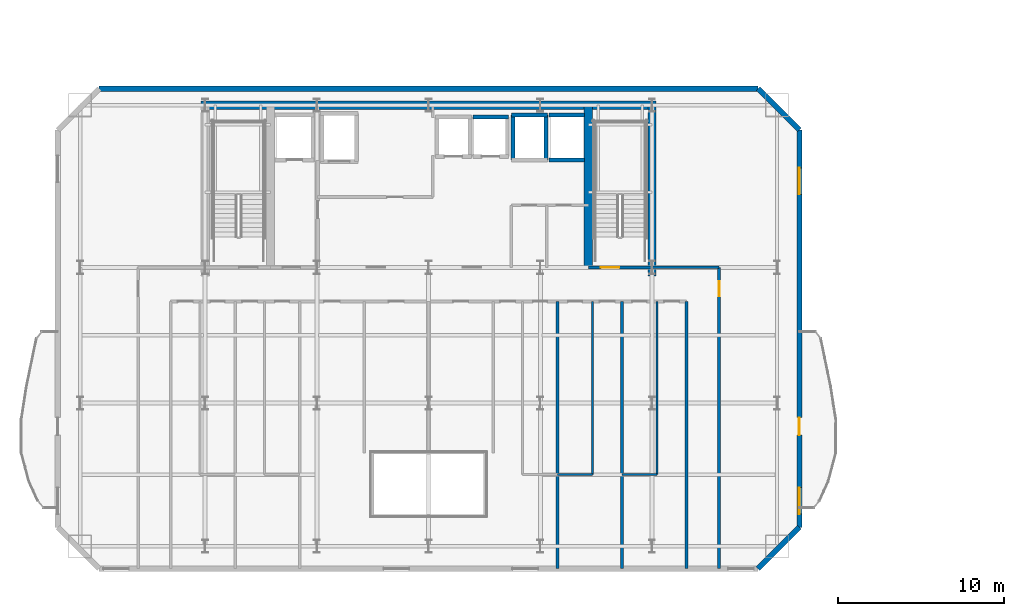
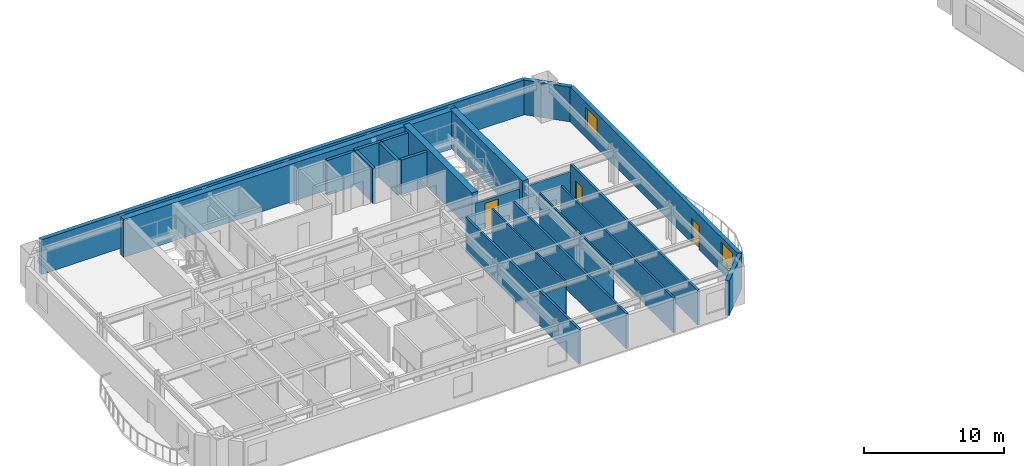
# One storey, part 7 of 14: 23 walls, 3 doors, 2 windows, 5 openings.
"""IFC4 building model written with IfcOpenShell, lengths in metres."""

from ifc_helpers import new_model, si_unit, direction, frame, frame_2d, origin, place, context, subcontext, project, spatial, rectangle, extrude, material, layer, layer_set, type_object, element, fill, save


model = new_model("IFC4")

# Units and contexts
model_context = context("Model", 3, precision=1e-05, world=origin(), true_north=direction((0.0, 1.0)))
body_context = subcontext(model_context, "Body", "Model", "MODEL_VIEW")
ifc_project = project(units=[si_unit("LENGTHUNIT", "METRE"), si_unit("AREAUNIT", "SQUARE_METRE"), si_unit("VOLUMEUNIT", "CUBIC_METRE"), si_unit("PLANEANGLEUNIT", "RADIAN"), si_unit("MASSUNIT", "GRAM", prefix="KILO")], contexts=[model_context])

# Site, building, storey
site_placement = place(None, origin())
site = spatial("IfcSite", under=ifc_project, at=site_placement, CompositionType="ELEMENT")
building_placement = place(site_placement, origin())
building = spatial("IfcBuilding", under=site, at=building_placement, Name="Haevon Station Towers", CompositionType="ELEMENT")
storey_placement = place(building_placement, frame((0.0, 0.0, 116.39990234375)))
storey = spatial("IfcBuildingStorey", under=building, at=storey_placement, Name="L31", CompositionType="ELEMENT", Elevation=116.39990234375)

# Wall, opening, door
ifc_material_1 = material(Name="Gypsum board on steel stud", Category="steel")
ifc_layer_1 = layer(ifc_material_1, 0.179931640625)
ifc_layer_set_1 = layer_set([ifc_layer_1], Name="Gypsum board on steel stud")
wall_type_1 = type_object("IfcWallType", Name="WL-ACU180", PredefinedType="PARTITIONING", material=ifc_layer_set_1)
wall_1_placement = place(storey_placement, frame((55.050048828125, 20.0, 0.0), z_axis=(0.0, 0.0, 1.0), x_axis=(0.0, 1.0, 0.0)))
wall_1 = element("IfcWall", 1, at=wall_1_placement, inside=storey, type_object=wall_type_1, Name="WL-T1PT-L31-06", PredefinedType="PARTITIONING", context=body_context, shape_type="SweptSolid", body=[
    extrude(rectangle(XDim=18.199951171875, YDim=0.179931640625, at=frame_2d((9.10009765625, 0.0))), origin(), (0.0, 0.0, 1.0), 3.030029296875),
])
opening_1_placement = place(wall_1_placement, frame((16.469970703125, 0.0, 0.0)))
opening_1 = element("IfcOpeningElement", 2, at=opening_1_placement, cuts=wall_1, Name="Opening DR-WL-T1PT-L31-06-01", PredefinedType="OPENING", context=body_context, shape_type="SweptSolid", body=[
    extrude(rectangle(XDim=0.89990234375, YDim=2.050048828125, at=frame_2d((0.449951171875, 1.02490234375))), frame((0.0, 0.099853515625, 0.0), z_axis=(0.0, -1.0, 0.0), x_axis=(1.0, 0.0, 0.0)), (0.0, 0.0, 1.0), 0.199951171875),
])
ifc_material_2 = material(Name="Engineered oak timber", Category="wood")
door_type_1 = type_object("IfcDoorType", Name="DR-INT-900", OperationType="NOTDEFINED", PredefinedType="DOOR", material=ifc_material_2)
door_1_placement = place(opening_1_placement, origin())
door_1 = element("IfcDoor", 3, at=door_1_placement, inside=storey, type_object=door_type_1, Name="L31 Tower 1 Room Door 6-1", OperationType="SINGLE_SWING_LEFT", OverallHeight=2.050048828125, OverallWidth=0.89990234375, PredefinedType="DOOR", context=body_context, shape_type="SweptSolid", body=[
    extrude(rectangle(XDim=0.89990234375, YDim=2.050048828125, at=frame_2d((0.449951171875, 1.02490234375))), frame((0.0, 0.02490234375, 0.0), z_axis=(0.0, -1.0, 0.0), x_axis=(1.0, 0.0, 0.0)), (0.0, 0.0, 1.0), 0.050048828125),
])
fill(opening_1, door_1)

# Walls
for number, where, z_axis, x_axis, name in (
    (4, (45.2900390625, 20.0, 0.0), (0.0, 0.0, 1.0), (0.0, 1.0, 0.0), "WL-T1PT-L31-24"),
    (5, (49.18505859375, 20.0, 0.0), (0.0, 0.0, 1.0), (0.0, 1.0, 0.0), "WL-T1PT-L31-27"),
):
    element("IfcWall", number, at=place(storey_placement, frame(where, z_axis=z_axis, x_axis=x_axis)), inside=storey, type_object=wall_type_1, Name=name, PredefinedType="PARTITIONING", context=body_context, shape_type="SweptSolid", body=[
        extrude(rectangle(XDim=16.14990234375, YDim=0.179931640625, at=frame_2d((8.074951171875, 0.0))), origin(), (0.0, 0.0, 1.0), 3.030029296875),
    ])

# Wall, opening, door
ifc_layer_2 = layer(ifc_material_1, 0.199951171875)
ifc_layer_set_2 = layer_set([ifc_layer_2], Name="Gypsum board on steel stud")
wall_type_2 = type_object("IfcWallType", Name="WL-COR200", PredefinedType="PARTITIONING", material=ifc_layer_set_2)
wall_2_placement = place(storey_placement, frame((47.14990234375, 38.199951171875, 0.0), z_axis=(0.0, 0.0, 1.0), x_axis=(1.0, 0.0, 0.0)))
wall_2 = element("IfcWall", 6, at=wall_2_placement, inside=storey, type_object=wall_type_2, Name="WL-ST-ST2-L31", PredefinedType="PARTITIONING", context=body_context, shape_type="SweptSolid", body=[
    extrude(rectangle(XDim=3.85009765625, YDim=0.199951171875, at=frame_2d((1.925048828125, 0.0))), origin(), (0.0, 0.0, 1.0), 2.380126953125),
])
opening_2_placement = place(wall_2_placement, frame((0.75, 0.0, 0.0)))
opening_2 = element("IfcOpeningElement", 7, at=opening_2_placement, cuts=wall_2, Name="Opening DR-ST-ST2-L31", PredefinedType="OPENING", context=body_context, shape_type="SweptSolid", body=[
    extrude(rectangle(XDim=1.1201171875, YDim=2.10009765625, at=frame_2d((0.56005859375, 1.050048828125))), frame((0.0, 0.10986328125, 0.0), z_axis=(0.0, -1.0, 0.0), x_axis=(1.0, 0.0, 0.0)), (0.0, 0.0, 1.0), 0.219970703125),
])
door_type_2 = type_object("IfcDoorType", Name="DR-ST-1120", OperationType="NOTDEFINED", PredefinedType="DOOR", material=ifc_material_2)
door_2_placement = place(opening_2_placement, origin())
door_2 = element("IfcDoor", 8, at=door_2_placement, inside=storey, type_object=door_type_2, Name="L31 Escape Stair ST2 Fire Door", OperationType="SINGLE_SWING_RIGHT", OverallHeight=2.10009765625, OverallWidth=1.1201171875, PredefinedType="DOOR", context=body_context, shape_type="SweptSolid", body=[
    extrude(rectangle(XDim=1.1201171875, YDim=2.10009765625, at=frame_2d((0.56005859375, 1.050048828125))), frame((0.0, 0.02490234375, 0.0), z_axis=(0.0, -1.0, 0.0), x_axis=(1.0, 0.0, 0.0)), (0.0, 0.0, 1.0), 0.050048828125),
])
fill(opening_2, door_2)

# Walls
ifc_material_3 = material(Name="Concrete C60/75", Category="concrete")
ifc_layer_3 = layer(ifc_material_3, 0.5)
ifc_layer_set_3 = layer_set([ifc_layer_3], Name="Concrete C60/75")
wall_type_3 = type_object("IfcWallType", Name="WL-CR500", PredefinedType="SHEAR", material=ifc_layer_set_3)
wall_3_placement = place(storey_placement, frame((23.75, 48.0, 0.0), z_axis=(0.0, 0.0, 1.0), x_axis=(1.0, 0.0, 0.0)))
element("IfcWall", 9, at=wall_3_placement, inside=storey, type_object=wall_type_3, Name="WL-T1CR-L31-N", PredefinedType="SHEAR", context=body_context, shape_type="SweptSolid", body=[
    extrude(rectangle(XDim=27.5, YDim=0.5, at=frame_2d((13.75, 0.0))), origin(), (0.0, 0.0, 1.0), 3.300048828125),
])
wall_4_placement = place(storey_placement, frame((51.0, 37.679931640625, 0.0), z_axis=(0.0, 0.0, 1.0), x_axis=(0.0, 1.0, 0.0)))
element("IfcWall", 10, at=wall_4_placement, inside=storey, type_object=wall_type_3, Name="WL-T1CR-L31-E", PredefinedType="SHEAR", context=body_context, shape_type="SweptSolid", body=[
    extrude(rectangle(XDim=10.320068359375, YDim=0.5, at=frame_2d((5.16015625, 0.0))), origin(), (0.0, 0.0, 1.0), 3.300048828125),
])
wall_5_placement = place(storey_placement, frame((47.14990234375, 38.199951171875, 0.0), z_axis=(0.0, 0.0, 1.0), x_axis=(0.0, 1.0, 0.0)))
element("IfcWall", 11, at=wall_5_placement, inside=storey, type_object=wall_type_3, Name="WL-T1CR-L31-M2", PredefinedType="SHEAR", context=body_context, shape_type="SweptSolid", body=[
    extrude(rectangle(XDim=9.800048828125, YDim=0.5, at=frame_2d((4.89990234375, 0.0))), origin(), (0.0, 0.0, 1.0), 3.300048828125),
])
ifc_material_4 = material(Name="Precast concrete C45/55", Category="concrete")
ifc_layer_4 = layer(ifc_material_4, 0.320068359375)
ifc_layer_set_4 = layer_set([ifc_layer_4], Name="Precast concrete C45/55")
wall_type_4 = type_object("IfcWallType", Name="WL-EXT-PIER320", PredefinedType="SOLIDWALL", material=ifc_layer_set_4)
wall_6_placement = place(storey_placement, frame((17.60009765625, 49.0, 0.0), z_axis=(0.0, 0.0, 1.0), x_axis=(1.0, 0.0, 0.0)))
element("IfcWall", 12, at=wall_6_placement, inside=storey, type_object=wall_type_4, Name="WL-T1-L31-N", PredefinedType="SOLIDWALL", context=body_context, shape_type="SweptSolid", body=[
    extrude(rectangle(XDim=39.7998046875, YDim=0.320068359375, at=frame_2d((19.89990234375, 0.0))), origin(), (0.0, 0.0, 1.0), 3.030029296875),
])
wall_7_placement = place(storey_placement, frame((57.39990234375, 49.0, 0.0), z_axis=(0.0, 0.0, 1.0), x_axis=(0.707106781187, -0.707106781187, 0.0)))
element("IfcWall", 13, at=wall_7_placement, inside=storey, type_object=wall_type_4, Name="WL-T1-L31-NEC", PredefinedType="SOLIDWALL", context=body_context, shape_type="SweptSolid", body=[
    extrude(rectangle(XDim=3.53564453125, YDim=0.320068359375, at=frame_2d((1.767822265625, 0.0))), origin(), (0.0, 0.0, 1.0), 3.030029296875),
])

# Wall, openings, door, windows
wall_8_placement = place(storey_placement, frame((59.89990234375, 46.5, 0.0), z_axis=(0.0, 0.0, 1.0), x_axis=(0.0, -1.0, 0.0)))
wall_8 = element("IfcWall", 14, at=wall_8_placement, inside=storey, type_object=wall_type_4, Name="WL-T1-L31-E", PredefinedType="SOLIDWALL", context=body_context, shape_type="SweptSolid", body=[
    extrude(rectangle(XDim=24.0, YDim=0.320068359375, at=frame_2d((12.0, 0.0))), origin(), (0.0, 0.0, 1.0), 3.030029296875),
])
opening_3_placement = place(wall_8_placement, frame((17.375, 0.0, 0.0)))
opening_3 = element("IfcOpeningElement", 15, at=opening_3_placement, cuts=wall_8, Name="Opening DR-T1-SCAL-L31-E", PredefinedType="OPENING", context=body_context, shape_type="SweptSolid", body=[
    extrude(rectangle(XDim=1.050048828125, YDim=2.10009765625, at=frame_2d((0.52490234375, 1.050048828125))), frame((0.0, 0.169921875, 0.0), z_axis=(0.0, -1.0, 0.0), x_axis=(1.0, 0.0, 0.0)), (0.0, 0.0, 1.0), 0.340087890625),
])
opening_4_placement = place(wall_8_placement, frame((2.28564453125, 0.0, 0.800048828125)))
opening_4 = element("IfcOpeningElement", 16, at=opening_4_placement, cuts=wall_8, Name="Opening WN-END160", PredefinedType="OPENING", context=body_context, shape_type="SweptSolid", body=[
    extrude(rectangle(XDim=1.60009765625, YDim=1.800048828125, at=frame_2d((0.800048828125, 0.89990234375))), frame((0.0, 0.169921875, 0.0), z_axis=(0.0, -1.0, 0.0), x_axis=(1.0, 0.0, 0.0)), (0.0, 0.0, 1.0), 0.340087890625),
])
opening_5_placement = place(wall_8_placement, frame((21.60009765625, 0.0, 0.800048828125)))
opening_5 = element("IfcOpeningElement", 17, at=opening_5_placement, cuts=wall_8, Name="Opening WN-END160", PredefinedType="OPENING", context=body_context, shape_type="SweptSolid", body=[
    extrude(rectangle(XDim=1.60009765625, YDim=1.800048828125, at=frame_2d((0.800048828125, 0.89990234375))), frame((0.0, 0.169921875, 0.0), z_axis=(0.0, -1.0, 0.0), x_axis=(1.0, 0.0, 0.0)), (0.0, 0.0, 1.0), 0.340087890625),
])
ifc_material_5 = material(Name="Thermally broken anodised aluminium and laminated safety glass", Category="aluminium")
door_type_3 = type_object("IfcDoorType", Name="DR-BALC-1050", OperationType="NOTDEFINED", PredefinedType="DOOR", material=ifc_material_5)
door_3_placement = place(opening_3_placement, origin())
door_3 = element("IfcDoor", 18, at=door_3_placement, inside=storey, type_object=door_type_3, Name="Tower 1 L31 East Scalloped Balcony Door", OperationType="SINGLE_SWING_RIGHT", OverallHeight=2.10009765625, OverallWidth=1.050048828125, PredefinedType="DOOR", context=body_context, shape_type="SweptSolid", body=[
    extrude(rectangle(XDim=1.050048828125, YDim=2.10009765625, at=frame_2d((0.52490234375, 1.050048828125))), frame((0.0, 0.02490234375, 0.0), z_axis=(0.0, -1.0, 0.0), x_axis=(1.0, 0.0, 0.0)), (0.0, 0.0, 1.0), 0.050048828125),
])
fill(opening_3, door_3)
ifc_material_6 = material(Name="Low-E triple glazing in thermally broken aluminium", Category="aluminium")
window_type = type_object("IfcWindowType", Name="WN-END160", PartitioningType="SINGLE_PANEL", PredefinedType="WINDOW", material=ifc_material_6)
window_1_placement = place(opening_4_placement, origin())
window_1 = element("IfcWindow", 19, at=window_1_placement, inside=storey, type_object=window_type, Name="WN-T1-L31-E01", OverallHeight=1.800048828125, OverallWidth=1.60009765625, PartitioningType="SINGLE_PANEL", PredefinedType="WINDOW", context=body_context, shape_type="SweptSolid", body=[
    extrude(rectangle(XDim=1.60009765625, YDim=1.800048828125, at=frame_2d((0.800048828125, 0.89990234375))), frame((0.0, 0.030029296875, 0.0), z_axis=(0.0, -1.0, 0.0), x_axis=(1.0, 0.0, 0.0)), (0.0, 0.0, 1.0), 0.06005859375),
])
fill(opening_4, window_1)
window_2_placement = place(opening_5_placement, origin())
window_2 = element("IfcWindow", 20, at=window_2_placement, inside=storey, type_object=window_type, Name="WN-T1-L31-E02", OverallHeight=1.800048828125, OverallWidth=1.60009765625, PartitioningType="SINGLE_PANEL", PredefinedType="WINDOW", context=body_context, shape_type="SweptSolid", body=[
    extrude(rectangle(XDim=1.60009765625, YDim=1.800048828125, at=frame_2d((0.800048828125, 0.89990234375))), frame((0.0, 0.030029296875, 0.0), z_axis=(0.0, -1.0, 0.0), x_axis=(1.0, 0.0, 0.0)), (0.0, 0.0, 1.0), 0.06005859375),
])
fill(opening_5, window_2)

# Walls
wall_9_placement = place(storey_placement, frame((59.89990234375, 22.5, 0.0), z_axis=(0.0, 0.0, 1.0), x_axis=(-0.707106781187, -0.707106781187, 0.0)))
element("IfcWall", 21, at=wall_9_placement, inside=storey, type_object=wall_type_4, Name="WL-T1-L31-SEC", PredefinedType="SOLIDWALL", context=body_context, shape_type="SweptSolid", body=[
    extrude(rectangle(XDim=3.53564453125, YDim=0.320068359375, at=frame_2d((1.767822265625, 0.0))), origin(), (0.0, 0.0, 1.0), 3.030029296875),
])
ifc_layer_5 = layer(ifc_material_1, 0.125)
ifc_layer_set_5 = layer_set([ifc_layer_5], Name="Gypsum board on steel stud")
wall_type_5 = type_object("IfcWallType", Name="WL-PRT125", PredefinedType="PARTITIONING", material=ifc_layer_set_5)
wall_10_placement = place(storey_placement, frame((45.2900390625, 25.697021484375, 0.0), z_axis=(0.0, 0.0, 1.0), x_axis=(1.0, 0.0, 0.0)))
element("IfcWall", 22, at=wall_10_placement, inside=storey, type_object=wall_type_5, Name="WL-T1PT-L31-25", PredefinedType="PARTITIONING", context=body_context, shape_type="SweptSolid", body=[
    extrude(rectangle(XDim=2.114990234375, YDim=0.125, at=frame_2d((1.0576171875, 0.0))), origin(), (0.0, 0.0, 1.0), 2.630126953125),
])
wall_11_placement = place(storey_placement, frame((47.405029296875, 25.697021484375, 0.0), z_axis=(0.0, 0.0, 1.0), x_axis=(0.0, 1.0, 0.0)))
element("IfcWall", 23, at=wall_11_placement, inside=storey, type_object=wall_type_5, Name="WL-T1PT-L31-26", PredefinedType="PARTITIONING", context=body_context, shape_type="SweptSolid", body=[
    extrude(rectangle(XDim=10.452880859375, YDim=0.125, at=frame_2d((5.2265625, 0.0))), origin(), (0.0, 0.0, 1.0), 3.030029296875),
])
wall_12_placement = place(storey_placement, frame((49.18505859375, 25.697021484375, 0.0), z_axis=(0.0, 0.0, 1.0), x_axis=(1.0, 0.0, 0.0)))
element("IfcWall", 24, at=wall_12_placement, inside=storey, type_object=wall_type_5, Name="WL-T1PT-L31-28", PredefinedType="PARTITIONING", context=body_context, shape_type="SweptSolid", body=[
    extrude(rectangle(XDim=2.114990234375, YDim=0.125, at=frame_2d((1.0576171875, 0.0))), origin(), (0.0, 0.0, 1.0), 2.630126953125),
])
wall_13_placement = place(storey_placement, frame((51.300048828125, 25.697021484375, 0.0), z_axis=(0.0, 0.0, 1.0), x_axis=(0.0, 1.0, 0.0)))
element("IfcWall", 25, at=wall_13_placement, inside=storey, type_object=wall_type_5, Name="WL-T1PT-L31-29", PredefinedType="PARTITIONING", context=body_context, shape_type="SweptSolid", body=[
    extrude(rectangle(XDim=10.452880859375, YDim=0.125, at=frame_2d((5.2265625, 0.0))), origin(), (0.0, 0.0, 1.0), 3.030029296875),
])
ifc_layer_6 = layer(ifc_material_1, 0.159912109375)
ifc_layer_set_6 = layer_set([ifc_layer_6], Name="Gypsum board on steel stud")
wall_type_6 = type_object("IfcWallType", Name="WL-PRT160", PredefinedType="PARTITIONING", material=ifc_layer_set_6)
wall_14_placement = place(storey_placement, frame((53.080078125, 20.0, 0.0), z_axis=(0.0, 0.0, 1.0), x_axis=(0.0, 1.0, 0.0)))
element("IfcWall", 26, at=wall_14_placement, inside=storey, type_object=wall_type_6, Name="WL-T1PT-L31-02", PredefinedType="PARTITIONING", context=body_context, shape_type="SweptSolid", body=[
    extrude(rectangle(XDim=16.14990234375, YDim=0.159912109375, at=frame_2d((8.074951171875, 0.0))), origin(), (0.0, 0.0, 1.0), 3.030029296875),
])
wall_15_placement = place(storey_placement, frame((51.0, 38.199951171875, 0.0), z_axis=(0.0, 0.0, 1.0), x_axis=(1.0, 0.0, 0.0)))
element("IfcWall", 27, at=wall_15_placement, inside=storey, type_object=wall_type_6, Name="WL-T1PT-L31-04", PredefinedType="PARTITIONING", context=body_context, shape_type="SweptSolid", body=[
    extrude(rectangle(XDim=4.050048828125, YDim=0.159912109375, at=frame_2d((2.02490234375, 0.0))), origin(), (0.0, 0.0, 1.0), 2.380126953125),
])
ifc_material_7 = material(Name="Concrete C40/50", Category="concrete")
ifc_layer_7 = layer(ifc_material_7, 0.239990234375)
ifc_layer_set_7 = layer_set([ifc_layer_7], Name="Concrete C40/50")
wall_type_7 = type_object("IfcWallType", Name="WL-SHF240", PredefinedType="PARTITIONING", material=ifc_layer_set_7)
wall_16_placement = place(storey_placement, frame((40.169921875, 47.300048828125, 0.0), z_axis=(0.0, 0.0, 1.0), x_axis=(1.0, 0.0, 0.0)))
element("IfcWall", 28, at=wall_16_placement, inside=storey, type_object=wall_type_7, Name="WL-SHF-PL4-L31-N", PredefinedType="PARTITIONING", context=body_context, shape_type="SweptSolid", body=[
    extrude(rectangle(XDim=2.16015625, YDim=0.239990234375, at=frame_2d((1.080078125, 0.0))), origin(), (0.0, 0.0, 1.0), 3.030029296875),
])
wall_17_placement = place(storey_placement, frame((42.52001953125, 47.39990234375, 0.0), z_axis=(0.0, 0.0, 1.0), x_axis=(1.0, 0.0, 0.0)))
element("IfcWall", 29, at=wall_17_placement, inside=storey, type_object=wall_type_7, Name="WL-SHF-PL5-L31-N", PredefinedType="PARTITIONING", context=body_context, shape_type="SweptSolid", body=[
    extrude(rectangle(XDim=2.159912109375, YDim=0.239990234375, at=frame_2d((1.080078125, 0.0))), origin(), (0.0, 0.0, 1.0), 3.030029296875),
])
for number, where, z_axis, x_axis, name in (
    (30, (42.60009765625, 44.699951171875, 0.0), (0.0, 0.0, 1.0), (0.0, 1.0, 0.0), "WL-SHF-PL5-L31-W"),
    (31, (44.60009765625, 44.699951171875, 0.0), (0.0, 0.0, 1.0), (0.0, 1.0, 0.0), "WL-SHF-PL5-L31-E"),
):
    element("IfcWall", number, at=place(storey_placement, frame(where, z_axis=z_axis, x_axis=x_axis)), inside=storey, type_object=wall_type_7, Name=name, PredefinedType="PARTITIONING", context=body_context, shape_type="SweptSolid", body=[
        extrude(rectangle(XDim=2.699951171875, YDim=0.239990234375, at=frame_2d((1.35009765625, 0.0))), origin(), (0.0, 0.0, 1.0), 3.030029296875),
    ])
for number, where, z_axis, x_axis, name in (
    (32, (44.77001953125, 44.699951171875, 0.0), (0.0, 0.0, 1.0), (1.0, 0.0, 0.0), "WL-SHF-PL6-L31"),
    (33, (44.77001953125, 47.39990234375, 0.0), (0.0, 0.0, 1.0), (1.0, 0.0, 0.0), "WL-SHF-PL6-L31-N"),
):
    element("IfcWall", number, at=place(storey_placement, frame(where, z_axis=z_axis, x_axis=x_axis)), inside=storey, type_object=wall_type_7, Name=name, PredefinedType="PARTITIONING", context=body_context, shape_type="SweptSolid", body=[
        extrude(rectangle(XDim=2.159912109375, YDim=0.239990234375, at=frame_2d((1.080078125, 0.0))), origin(), (0.0, 0.0, 1.0), 3.030029296875),
    ])

save(model, "model.ifc")
